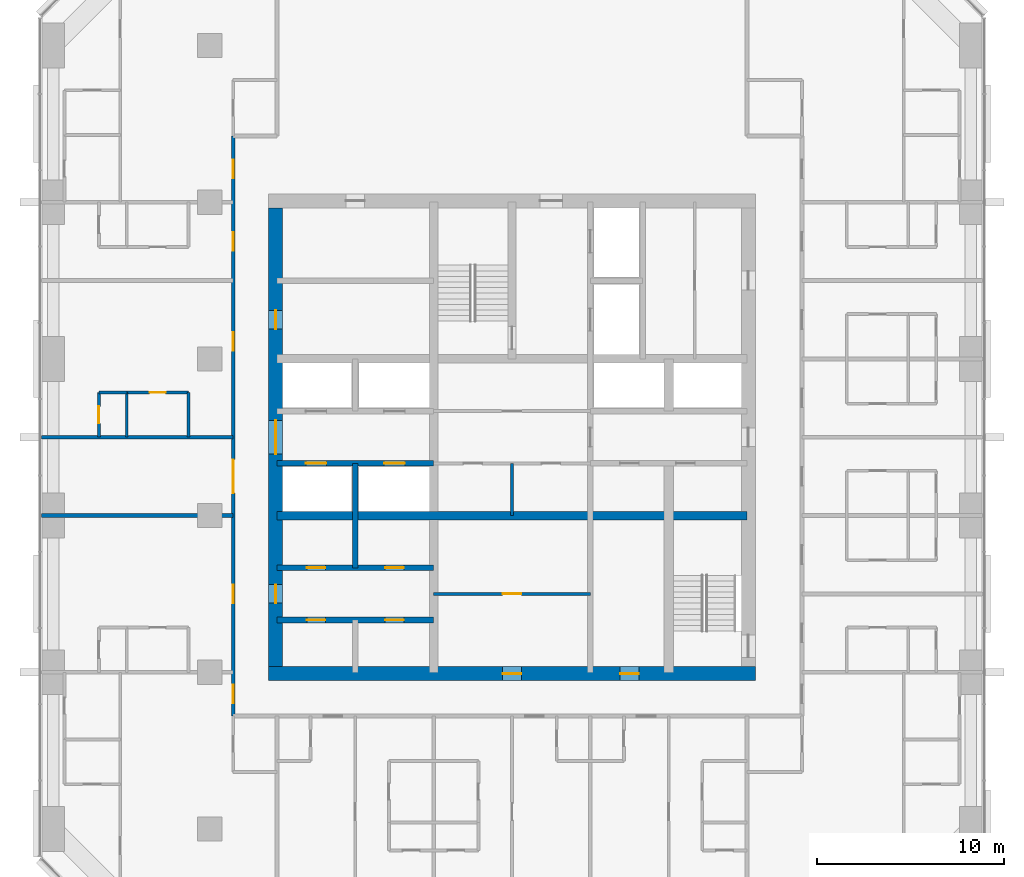
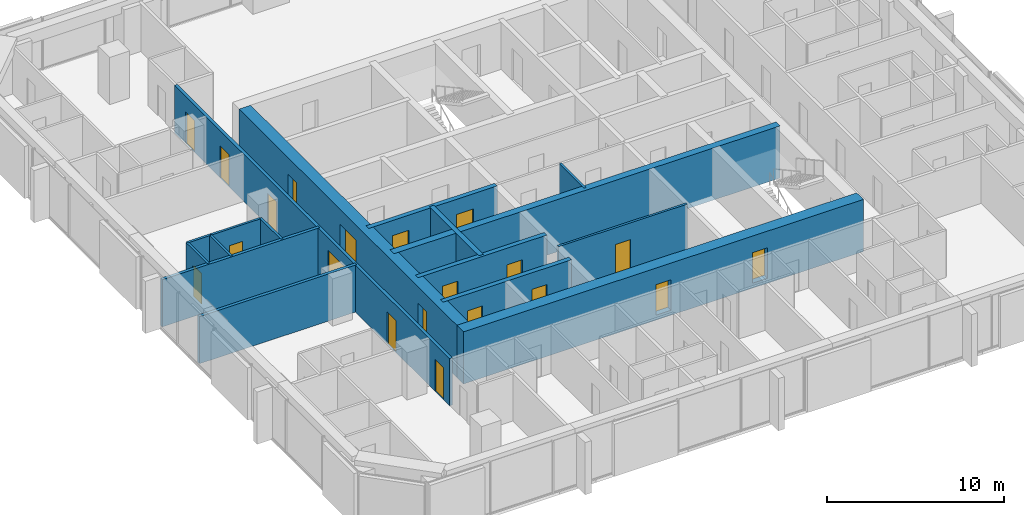
# One storey, part 9 of 14: 20 doors, 17 walls, 20 openings.
"""IFC4 building model written with IfcOpenShell, lengths in metres."""

from ifc_helpers import new_model, si_unit, direction, frame, frame_2d, origin, place, context, subcontext, project, spatial, rectangle, extrude, material, layer, layer_set, type_object, element, fill, save


model = new_model("IFC4")

# Units and contexts
model_context = context("Model", 3, precision=1e-05, world=origin(), true_north=direction((0.0, 1.0)))
body_context = subcontext(model_context, "Body", "Model", "MODEL_VIEW")
ifc_project = project(units=[si_unit("LENGTHUNIT", "METRE"), si_unit("AREAUNIT", "SQUARE_METRE"), si_unit("VOLUMEUNIT", "CUBIC_METRE"), si_unit("PLANEANGLEUNIT", "RADIAN"), si_unit("MASSUNIT", "GRAM", prefix="KILO")], contexts=[model_context])

# Site, building, storey
site_placement = place(None, origin())
site = spatial("IfcSite", under=ifc_project, at=site_placement, CompositionType="ELEMENT")
building_placement = place(site_placement, origin())
building = spatial("IfcBuilding", under=site, at=building_placement, Name="Dunama Terrace Hotel", CompositionType="ELEMENT")
storey_placement = place(building_placement, frame((0.0, 0.0, 177.0)))
storey = spatial("IfcBuildingStorey", under=building, at=storey_placement, Name="L45", CompositionType="ELEMENT", Elevation=177.0)

# Wall
ifc_material_1 = material(Name="Gypsum board partition", Category="masonry")
ifc_layer_1 = layer(ifc_material_1, 0.14990234375)
ifc_layer_set_1 = layer_set([ifc_layer_1], Name="Bathroom partition 150")
wall_type_1 = type_object("IfcWallType", Name="Bathroom partition 150", PredefinedType="PARTITIONING", material=ifc_layer_set_1)
wall_1_placement = place(storey_placement, frame((12.050048828125, 29.39990234375, 0.0), z_axis=(0.0, 0.0, 1.0), x_axis=(0.0, 1.0, 0.0)))
element("IfcWall", 1, at=wall_1_placement, inside=storey, type_object=wall_type_1, Name="Bathroom partition 150 L45", PredefinedType="PARTITIONING", context=body_context, shape_type="SweptSolid", body=[
    extrude(rectangle(XDim=2.400146484375, YDim=0.14990234375, at=frame_2d((1.2001953125, 0.0))), origin(), (0.0, 0.0, 1.0), 3.25),
])

# Wall, opening, door
wall_2_placement = place(storey_placement, frame((8.75, 31.800048828125, 0.0), z_axis=(0.0, 0.0, 1.0), x_axis=(1.0, 0.0, 0.0)))
wall_2 = element("IfcWall", 2, at=wall_2_placement, inside=storey, type_object=wall_type_1, Name="Bathroom partition 150 L45", PredefinedType="PARTITIONING", context=body_context, shape_type="SweptSolid", body=[
    extrude(rectangle(XDim=3.300048828125, YDim=0.14990234375, at=frame_2d((1.64990234375, 0.0))), origin(), (0.0, 0.0, 1.0), 3.25),
])
opening_1_placement = place(wall_2_placement, frame((1.22509765625, 0.0, 0.0)))
opening_1 = element("IfcOpeningElement", 3, at=opening_1_placement, cuts=wall_2, Name="Opening L45-047", PredefinedType="OPENING", context=body_context, shape_type="SweptSolid", body=[
    extrude(rectangle(XDim=0.85009765625, YDim=2.10009765625, at=frame_2d((0.425048828125, 1.050048828125))), frame((0.0, 0.0849609375, 0.0), z_axis=(0.0, -1.0, 0.0), x_axis=(1.0, 0.0, 0.0)), (0.0, 0.0, 1.0), 0.169921875),
])
ifc_material_2 = material(Name="Timber door with steel frame", Category="steel")
door_type_1 = type_object("IfcDoorType", Name="Bathroom door 850", OperationType="SINGLE_SWING_LEFT", PredefinedType="DOOR", material=ifc_material_2)
door_1_placement = place(opening_1_placement, frame((0.85009765625, 0.0, 0.0), z_axis=(0.0, 0.0, 1.0), x_axis=(-1.0, 0.0, 0.0)))
door_1 = element("IfcDoor", 4, at=door_1_placement, inside=storey, type_object=door_type_1, Name="Door to en-suite bathroom L45-047, type D2", OperationType="SINGLE_SWING_RIGHT", OverallHeight=2.10009765625, OverallWidth=0.85009765625, PredefinedType="DOOR", context=body_context, shape_type="SweptSolid", body=[
    extrude(rectangle(XDim=0.85009765625, YDim=2.10009765625, at=frame_2d((0.425048828125, 1.050048828125))), frame((0.0, 0.025146484375, 0.0), z_axis=(0.0, -1.0, 0.0), x_axis=(1.0, 0.0, 0.0)), (0.0, 0.0, 1.0), 0.050048828125),
])
fill(opening_1, door_1)

# Wall
ifc_material_3 = material(Name="Concrete C50/60", Category="concrete")
ifc_layer_2 = layer(ifc_material_3, 0.300048828125)
ifc_layer_set_2 = layer_set([ifc_layer_2], Name="Core inner wall 300")
wall_type_2 = type_object("IfcWallType", Name="Core inner wall 300", PredefinedType="SHEAR", material=ifc_layer_set_2)
wall_3_placement = place(storey_placement, frame((21.0, 22.39990234375, -0.35009765625), z_axis=(0.0, 0.0, 1.0), x_axis=(0.0, 1.0, 0.0)))
element("IfcWall", 5, at=wall_3_placement, inside=storey, type_object=wall_type_2, Name="Core inner wall 300 L45", PredefinedType="SHEAR", context=body_context, shape_type="SweptSolid", body=[
    extrude(rectangle(XDim=5.60009765625, YDim=0.300048828125, at=frame_2d((2.800048828125, 0.0))), origin(), (0.0, 0.0, 1.0), 3.60009765625),
])

# Wall, openings, doors
wall_4_placement = place(storey_placement, frame((16.800048828125, 19.60009765625, -0.35009765625), z_axis=(0.0, 0.0, 1.0), x_axis=(1.0, 0.0, 0.0)))
wall_4 = element("IfcWall", 6, at=wall_4_placement, inside=storey, type_object=wall_type_2, Name="Core inner wall 300 L45", PredefinedType="SHEAR", context=body_context, shape_type="SweptSolid", body=[
    extrude(rectangle(XDim=8.39990234375, YDim=0.300048828125, at=frame_2d((4.199951171875, 0.0))), origin(), (0.0, 0.0, 1.0), 3.60009765625),
])
opening_2_placement = place(wall_4_placement, frame((1.60009765625, 0.0, 0.35009765625)))
opening_2 = element("IfcOpeningElement", 7, at=opening_2_placement, cuts=wall_4, Name="Opening L45-073", PredefinedType="OPENING", context=body_context, shape_type="SweptSolid", body=[
    extrude(rectangle(XDim=1.0, YDim=2.10009765625, at=frame_2d((0.5, 1.050048828125))), frame((0.0, 0.159912109375, 0.0), z_axis=(0.0, -1.0, 0.0), x_axis=(1.0, 0.0, 0.0)), (0.0, 0.0, 1.0), 0.320068359375),
])
opening_3_placement = place(wall_4_placement, frame((5.800048828125, 0.0, 0.35009765625)))
opening_3 = element("IfcOpeningElement", 8, at=opening_3_placement, cuts=wall_4, Name="Opening L45-074", PredefinedType="OPENING", context=body_context, shape_type="SweptSolid", body=[
    extrude(rectangle(XDim=1.0, YDim=2.10009765625, at=frame_2d((0.5, 1.050048828125))), frame((0.0, 0.159912109375, 0.0), z_axis=(0.0, -1.0, 0.0), x_axis=(1.0, 0.0, 0.0)), (0.0, 0.0, 1.0), 0.320068359375),
])
ifc_material_4 = material(Name="Timber door with steel frame", Category="steel")
door_type_2 = type_object("IfcDoorType", Name="Service door 1000", OperationType="SINGLE_SWING_LEFT", PredefinedType="DOOR", material=ifc_material_4)
door_2_placement = place(opening_2_placement, frame((1.0, 0.0, 0.0), z_axis=(0.0, 0.0, 1.0), x_axis=(-1.0, 0.0, 0.0)))
door_2 = element("IfcDoor", 9, at=door_2_placement, inside=storey, type_object=door_type_2, Name="Door to service riser L45-073, type D7", OperationType="SINGLE_SWING_RIGHT", OverallHeight=2.10009765625, OverallWidth=1.0, PredefinedType="DOOR", context=body_context, shape_type="SweptSolid", body=[
    extrude(rectangle(XDim=1.0, YDim=2.10009765625, at=frame_2d((0.5, 1.050048828125))), frame((0.0, 0.025146484375, 0.0), z_axis=(0.0, -1.0, 0.0), x_axis=(1.0, 0.0, 0.0)), (0.0, 0.0, 1.0), 0.050048828125),
])
fill(opening_2, door_2)
door_3_placement = place(opening_3_placement, frame((1.0, 0.0, 0.0), z_axis=(0.0, 0.0, 1.0), x_axis=(-1.0, 0.0, 0.0)))
door_3 = element("IfcDoor", 10, at=door_3_placement, inside=storey, type_object=door_type_2, Name="Door to staff accessible wc L45-074, type D7", OperationType="SINGLE_SWING_LEFT", OverallHeight=2.10009765625, OverallWidth=1.0, PredefinedType="DOOR", context=body_context, shape_type="SweptSolid", body=[
    extrude(rectangle(XDim=1.0, YDim=2.10009765625, at=frame_2d((0.5, 1.050048828125))), frame((0.0, 0.025146484375, 0.0), z_axis=(0.0, -1.0, 0.0), x_axis=(1.0, 0.0, 0.0)), (0.0, 0.0, 1.0), 0.050048828125),
])
fill(opening_3, door_3)

wall_5_placement = place(storey_placement, frame((16.800048828125, 22.39990234375, -0.35009765625), z_axis=(0.0, 0.0, 1.0), x_axis=(1.0, 0.0, 0.0)))
wall_5 = element("IfcWall", 11, at=wall_5_placement, inside=storey, type_object=wall_type_2, Name="Core inner wall 300 L45", PredefinedType="SHEAR", context=body_context, shape_type="SweptSolid", body=[
    extrude(rectangle(XDim=8.39990234375, YDim=0.300048828125, at=frame_2d((4.199951171875, 0.0))), origin(), (0.0, 0.0, 1.0), 3.60009765625),
])
opening_4_placement = place(wall_5_placement, frame((1.60009765625, 0.0, 0.35009765625)))
opening_4 = element("IfcOpeningElement", 12, at=opening_4_placement, cuts=wall_5, Name="Opening L45-075", PredefinedType="OPENING", context=body_context, shape_type="SweptSolid", body=[
    extrude(rectangle(XDim=1.0, YDim=2.10009765625, at=frame_2d((0.5, 1.050048828125))), frame((0.0, 0.159912109375, 0.0), z_axis=(0.0, -1.0, 0.0), x_axis=(1.0, 0.0, 0.0)), (0.0, 0.0, 1.0), 0.320068359375),
])
opening_5_placement = place(wall_5_placement, frame((5.800048828125, 0.0, 0.35009765625)))
opening_5 = element("IfcOpeningElement", 13, at=opening_5_placement, cuts=wall_5, Name="Opening L45-076", PredefinedType="OPENING", context=body_context, shape_type="SweptSolid", body=[
    extrude(rectangle(XDim=1.0, YDim=2.10009765625, at=frame_2d((0.5, 1.050048828125))), frame((0.0, 0.159912109375, 0.0), z_axis=(0.0, -1.0, 0.0), x_axis=(1.0, 0.0, 0.0)), (0.0, 0.0, 1.0), 0.320068359375),
])
door_4_placement = place(opening_4_placement, origin())
door_4 = element("IfcDoor", 14, at=door_4_placement, inside=storey, type_object=door_type_2, Name="Door to room service pantry L45-075, type D7", OperationType="SINGLE_SWING_LEFT", OverallHeight=2.10009765625, OverallWidth=1.0, PredefinedType="DOOR", context=body_context, shape_type="SweptSolid", body=[
    extrude(rectangle(XDim=1.0, YDim=2.10009765625, at=frame_2d((0.5, 1.050048828125))), frame((0.0, 0.02490234375, 0.0), z_axis=(0.0, -1.0, 0.0), x_axis=(1.0, 0.0, 0.0)), (0.0, 0.0, 1.0), 0.050048828125),
])
fill(opening_4, door_4)
door_5_placement = place(opening_5_placement, origin())
door_5 = element("IfcDoor", 15, at=door_5_placement, inside=storey, type_object=door_type_2, Name="Door to linen store L45-076, type D7", OperationType="SINGLE_SWING_RIGHT", OverallHeight=2.10009765625, OverallWidth=1.0, PredefinedType="DOOR", context=body_context, shape_type="SweptSolid", body=[
    extrude(rectangle(XDim=1.0, YDim=2.10009765625, at=frame_2d((0.5, 1.050048828125))), frame((0.0, 0.02490234375, 0.0), z_axis=(0.0, -1.0, 0.0), x_axis=(1.0, 0.0, 0.0)), (0.0, 0.0, 1.0), 0.050048828125),
])
fill(opening_5, door_5)

wall_6_placement = place(storey_placement, frame((16.800048828125, 28.0, -0.35009765625), z_axis=(0.0, 0.0, 1.0), x_axis=(1.0, 0.0, 0.0)))
wall_6 = element("IfcWall", 16, at=wall_6_placement, inside=storey, type_object=wall_type_2, Name="Core inner wall 300 L45", PredefinedType="SHEAR", context=body_context, shape_type="SweptSolid", body=[
    extrude(rectangle(XDim=8.39990234375, YDim=0.300048828125, at=frame_2d((4.199951171875, 0.0))), origin(), (0.0, 0.0, 1.0), 3.60009765625),
])
opening_6_placement = place(wall_6_placement, frame((1.550048828125, 0.0, 0.35009765625)))
opening_6 = element("IfcOpeningElement", 17, at=opening_6_placement, cuts=wall_6, Name="Opening L45-003", PredefinedType="OPENING", context=body_context, shape_type="SweptSolid", body=[
    extrude(rectangle(XDim=1.10009765625, YDim=2.199951171875, at=frame_2d((0.550048828125, 1.10009765625))), frame((0.0, 0.159912109375, 0.0), z_axis=(0.0, -1.0, 0.0), x_axis=(1.0, 0.0, 0.0)), (0.0, 0.0, 1.0), 0.320068359375),
])
opening_7_placement = place(wall_6_placement, frame((5.75, 0.0, 0.35009765625)))
opening_7 = element("IfcOpeningElement", 18, at=opening_7_placement, cuts=wall_6, Name="Opening L45-004", PredefinedType="OPENING", context=body_context, shape_type="SweptSolid", body=[
    extrude(rectangle(XDim=1.10009765625, YDim=2.199951171875, at=frame_2d((0.550048828125, 1.10009765625))), frame((0.0, 0.159912109375, 0.0), z_axis=(0.0, -1.0, 0.0), x_axis=(1.0, 0.0, 0.0)), (0.0, 0.0, 1.0), 0.320068359375),
])
ifc_material_5 = material(Name="Stainless steel lift door", Category="steel")
door_type_3 = type_object("IfcDoorType", Name="Lift landing door 1100", OperationType="DOUBLE_DOOR_SLIDING", PredefinedType="DOOR", material=ifc_material_5)
door_6_placement = place(opening_6_placement, origin())
door_6 = element("IfcDoor", 19, at=door_6_placement, inside=storey, type_object=door_type_3, Name="Landing door PC1 L45-003, type LD1", OperationType="DOUBLE_DOOR_SLIDING", OverallHeight=2.199951171875, OverallWidth=1.10009765625, PredefinedType="DOOR", context=body_context, shape_type="SweptSolid", body=[
    extrude(rectangle(XDim=1.10009765625, YDim=2.199951171875, at=frame_2d((0.550048828125, 1.10009765625))), frame((0.0, 0.02490234375, 0.0), z_axis=(0.0, -1.0, 0.0), x_axis=(1.0, 0.0, 0.0)), (0.0, 0.0, 1.0), 0.050048828125),
])
fill(opening_6, door_6)
door_7_placement = place(opening_7_placement, origin())
door_7 = element("IfcDoor", 20, at=door_7_placement, inside=storey, type_object=door_type_3, Name="Landing door PC2 L45-004, type LD1", OperationType="DOUBLE_DOOR_SLIDING", OverallHeight=2.199951171875, OverallWidth=1.10009765625, PredefinedType="DOOR", context=body_context, shape_type="SweptSolid", body=[
    extrude(rectangle(XDim=1.10009765625, YDim=2.199951171875, at=frame_2d((0.550048828125, 1.10009765625))), frame((0.0, 0.02490234375, 0.0), z_axis=(0.0, -1.0, 0.0), x_axis=(1.0, 0.0, 0.0)), (0.0, 0.0, 1.0), 0.050048828125),
])
fill(opening_7, door_7)

# Wall
ifc_material_6 = material(Name="Concrete C50/60", Category="concrete")
ifc_layer_3 = layer(ifc_material_6, 0.449951171875)
ifc_layer_set_3 = layer_set([ifc_layer_3], Name="Core inner wall 450")
wall_type_3 = type_object("IfcWallType", Name="Core inner wall 450", PredefinedType="SHEAR", material=ifc_layer_set_3)
wall_7_placement = place(storey_placement, frame((16.800048828125, 25.199951171875, -0.35009765625), z_axis=(0.0, 0.0, 1.0), x_axis=(1.0, 0.0, 0.0)))
element("IfcWall", 21, at=wall_7_placement, inside=storey, type_object=wall_type_3, Name="Core inner wall 450 L45", PredefinedType="SHEAR", context=body_context, shape_type="SweptSolid", body=[
    extrude(rectangle(XDim=25.199951171875, YDim=0.449951171875, at=frame_2d((12.60009765625, 0.0))), origin(), (0.0, 0.0, 1.0), 3.60009765625),
])

# Wall, openings, doors
ifc_material_7 = material(Name="Concrete C60/75", Category="concrete")
ifc_layer_4 = layer(ifc_material_7, 0.75)
ifc_layer_set_4 = layer_set([ifc_layer_4], Name="Core wall 750")
wall_type_4 = type_object("IfcWallType", Name="Core wall 750", PredefinedType="SHEAR", material=ifc_layer_set_4)
wall_8_placement = place(storey_placement, frame((16.35009765625, 16.72509765625, -0.35009765625), z_axis=(0.0, 0.0, 1.0), x_axis=(1.0, 0.0, 0.0)))
wall_8 = element("IfcWall", 22, at=wall_8_placement, inside=storey, type_object=wall_type_4, Name="Core wall south L45", PredefinedType="SHEAR", context=body_context, shape_type="SweptSolid", body=[
    extrude(rectangle(XDim=26.099853515625, YDim=0.75, at=frame_2d((13.0498046875, 0.0))), origin(), (0.0, 0.0, 1.0), 3.60009765625),
])
opening_8_placement = place(wall_8_placement, frame((12.550048828125, 0.0, 0.35009765625)))
opening_8 = element("IfcOpeningElement", 23, at=opening_8_placement, cuts=wall_8, Name="Opening L45-090", PredefinedType="OPENING", context=body_context, shape_type="SweptSolid", body=[
    extrude(rectangle(XDim=1.0, YDim=2.10009765625, at=frame_2d((0.5, 1.050048828125))), frame((0.0, 0.385009765625, 0.0), z_axis=(0.0, -1.0, 0.0), x_axis=(1.0, 0.0, 0.0)), (0.0, 0.0, 1.0), 0.77001953125),
])
opening_9_placement = place(wall_8_placement, frame((18.85009765625, 0.0, 0.35009765625)))
opening_9 = element("IfcOpeningElement", 24, at=opening_9_placement, cuts=wall_8, Name="Opening L45-092", PredefinedType="OPENING", context=body_context, shape_type="SweptSolid", body=[
    extrude(rectangle(XDim=1.0, YDim=2.10009765625, at=frame_2d((0.5, 1.050048828125))), frame((0.0, 0.385009765625, 0.0), z_axis=(0.0, -1.0, 0.0), x_axis=(1.0, 0.0, 0.0)), (0.0, 0.0, 1.0), 0.77001953125),
])
door_8_placement = place(opening_8_placement, origin())
door_8 = element("IfcDoor", 25, at=door_8_placement, inside=storey, type_object=door_type_2, Name="Door to corridor air handling room L45-090, type D7", OperationType="SINGLE_SWING_LEFT", OverallHeight=2.10009765625, OverallWidth=1.0, PredefinedType="DOOR", context=body_context, shape_type="SweptSolid", body=[
    extrude(rectangle(XDim=1.0, YDim=2.10009765625, at=frame_2d((0.5, 1.050048828125))), frame((0.0, 0.02490234375, 0.0), z_axis=(0.0, -1.0, 0.0), x_axis=(1.0, 0.0, 0.0)), (0.0, 0.0, 1.0), 0.050048828125),
])
fill(opening_8, door_8)
door_9_placement = place(opening_9_placement, origin())
door_9 = element("IfcDoor", 26, at=door_9_placement, inside=storey, type_object=door_type_2, Name="Door to water riser room L45-092, type D7", OperationType="SINGLE_SWING_RIGHT", OverallHeight=2.10009765625, OverallWidth=1.0, PredefinedType="DOOR", context=body_context, shape_type="SweptSolid", body=[
    extrude(rectangle(XDim=1.0, YDim=2.10009765625, at=frame_2d((0.5, 1.050048828125))), frame((0.0, 0.02490234375, 0.0), z_axis=(0.0, -1.0, 0.0), x_axis=(1.0, 0.0, 0.0)), (0.0, 0.0, 1.0), 0.050048828125),
])
fill(opening_9, door_9)

wall_9_placement = place(storey_placement, frame((16.72509765625, 41.699951171875, -0.35009765625), z_axis=(0.0, 0.0, 1.0), x_axis=(0.0, -1.0, 0.0)))
wall_9 = element("IfcWall", 27, at=wall_9_placement, inside=storey, type_object=wall_type_4, Name="Core wall west L45", PredefinedType="SHEAR", context=body_context, shape_type="SweptSolid", body=[
    extrude(rectangle(XDim=24.599853515625, YDim=0.75, at=frame_2d((12.2998046875, 0.0))), origin(), (0.0, 0.0, 1.0), 3.60009765625),
])
opening_10_placement = place(wall_9_placement, frame((11.39990234375, 0.0, 0.35009765625)))
opening_10 = element("IfcOpeningElement", 28, at=opening_10_placement, cuts=wall_9, Name="Opening L45-072", PredefinedType="OPENING", context=body_context, shape_type="SweptSolid", body=[
    extrude(rectangle(XDim=1.800048828125, YDim=2.199951171875, at=frame_2d((0.89990234375, 1.10009765625))), frame((0.0, 0.385009765625, 0.0), z_axis=(0.0, -1.0, 0.0), x_axis=(1.0, 0.0, 0.0)), (0.0, 0.0, 1.0), 0.77001953125),
])
opening_11_placement = place(wall_9_placement, frame((20.199951171875, 0.0, 0.35009765625)))
opening_11 = element("IfcOpeningElement", 29, at=opening_11_placement, cuts=wall_9, Name="Opening L45-077", PredefinedType="OPENING", context=body_context, shape_type="SweptSolid", body=[
    extrude(rectangle(XDim=1.0, YDim=2.10009765625, at=frame_2d((0.5, 1.050048828125))), frame((0.0, 0.385009765625, 0.0), z_axis=(0.0, -1.0, 0.0), x_axis=(1.0, 0.0, 0.0)), (0.0, 0.0, 1.0), 0.77001953125),
])
opening_12_placement = place(wall_9_placement, frame((5.5, 0.0, 0.35009765625)))
opening_12 = element("IfcOpeningElement", 30, at=opening_12_placement, cuts=wall_9, Name="Opening L45-078", PredefinedType="OPENING", context=body_context, shape_type="SweptSolid", body=[
    extrude(rectangle(XDim=1.0, YDim=2.10009765625, at=frame_2d((0.5, 1.050048828125))), frame((0.0, 0.385009765625, 0.0), z_axis=(0.0, -1.0, 0.0), x_axis=(1.0, 0.0, 0.0)), (0.0, 0.0, 1.0), 0.77001953125),
])
ifc_material_8 = material(Name="Timber door with steel frame", Category="steel")
door_type_4 = type_object("IfcDoorType", Name="Lift lobby double door 1800", OperationType="DOUBLE_DOOR_DOUBLE_SWING", PredefinedType="DOOR", material=ifc_material_8)
door_10_placement = place(opening_10_placement, origin())
door_10 = element("IfcDoor", 31, at=door_10_placement, inside=storey, type_object=door_type_4, Name="Door to lift lobby L45-072, type D3", OperationType="DOUBLE_DOOR_DOUBLE_SWING", OverallHeight=2.199951171875, OverallWidth=1.800048828125, PredefinedType="DOOR", context=body_context, shape_type="SweptSolid", body=[
    extrude(rectangle(XDim=1.800048828125, YDim=2.199951171875, at=frame_2d((0.89990234375, 1.10009765625))), frame((0.0, 0.02490234375, 0.0), z_axis=(0.0, -1.0, 0.0), x_axis=(1.0, 0.0, 0.0)), (0.0, 0.0, 1.0), 0.050048828125),
])
fill(opening_10, door_10)
door_11_placement = place(opening_11_placement, origin())
door_11 = element("IfcDoor", 32, at=door_11_placement, inside=storey, type_object=door_type_2, Name="Door to back-of-house lobby L45-077, type D7", OperationType="SINGLE_SWING_LEFT", OverallHeight=2.10009765625, OverallWidth=1.0, PredefinedType="DOOR", context=body_context, shape_type="SweptSolid", body=[
    extrude(rectangle(XDim=1.0, YDim=2.10009765625, at=frame_2d((0.5, 1.050048828125))), frame((0.0, 0.02490234375, 0.0), z_axis=(0.0, -1.0, 0.0), x_axis=(1.0, 0.0, 0.0)), (0.0, 0.0, 1.0), 0.050048828125),
])
fill(opening_11, door_11)
door_12_placement = place(opening_12_placement, origin())
door_12 = element("IfcDoor", 33, at=door_12_placement, inside=storey, type_object=door_type_2, Name="Door to electrical room L45-078, type D7", OperationType="SINGLE_SWING_RIGHT", OverallHeight=2.10009765625, OverallWidth=1.0, PredefinedType="DOOR", context=body_context, shape_type="SweptSolid", body=[
    extrude(rectangle(XDim=1.0, YDim=2.10009765625, at=frame_2d((0.5, 1.050048828125))), frame((0.0, 0.02490234375, 0.0), z_axis=(0.0, -1.0, 0.0), x_axis=(1.0, 0.0, 0.0)), (0.0, 0.0, 1.0), 0.050048828125),
])
fill(opening_12, door_12)

ifc_material_9 = material(Name="Concrete blockwork", Category="masonry")
ifc_layer_5 = layer(ifc_material_9, 0.199951171875)
ifc_layer_set_5 = layer_set([ifc_layer_5], Name="Corridor partition 200")
wall_type_5 = type_object("IfcWallType", Name="Corridor partition 200", PredefinedType="PARTITIONING", material=ifc_layer_set_5)
wall_10_placement = place(storey_placement, frame((14.449951171875, 14.449951171875, 0.0), z_axis=(0.0, 0.0, 1.0), x_axis=(0.0, 1.0, 0.0)))
wall_10 = element("IfcWall", 34, at=wall_10_placement, inside=storey, type_object=wall_type_5, Name="Corridor partition 200 L45", PredefinedType="PARTITIONING", context=body_context, shape_type="SweptSolid", body=[
    extrude(rectangle(XDim=31.10009765625, YDim=0.199951171875, at=frame_2d((15.550048828125, 0.0))), origin(), (0.0, 0.0, 1.0), 3.25),
])
opening_13_placement = place(wall_10_placement, frame((6.050048828125, 0.0, 0.0)))
opening_13 = element("IfcOpeningElement", 35, at=opening_13_placement, cuts=wall_10, Name="Opening L45-042", PredefinedType="OPENING", context=body_context, shape_type="SweptSolid", body=[
    extrude(rectangle(XDim=1.0, YDim=2.199951171875, at=frame_2d((0.5, 1.10009765625))), frame((0.0, 0.10986328125, 0.0), z_axis=(0.0, -1.0, 0.0), x_axis=(1.0, 0.0, 0.0)), (0.0, 0.0, 1.0), 0.219970703125),
])
opening_14_placement = place(wall_10_placement, frame((11.949951171875, 0.0, 0.0)))
opening_14 = element("IfcOpeningElement", 36, at=opening_14_placement, cuts=wall_10, Name="Opening L45-045", PredefinedType="OPENING", context=body_context, shape_type="SweptSolid", body=[
    extrude(rectangle(XDim=1.800048828125, YDim=2.39990234375, at=frame_2d((0.89990234375, 1.199951171875))), frame((0.0, 0.10986328125, 0.0), z_axis=(0.0, -1.0, 0.0), x_axis=(1.0, 0.0, 0.0)), (0.0, 0.0, 1.0), 0.219970703125),
])
opening_15_placement = place(wall_10_placement, frame((19.574951171875, 0.0, 0.0)))
opening_15 = element("IfcOpeningElement", 37, at=opening_15_placement, cuts=wall_10, Name="Opening L45-046", PredefinedType="OPENING", context=body_context, shape_type="SweptSolid", body=[
    extrude(rectangle(XDim=1.0, YDim=2.199951171875, at=frame_2d((0.5, 1.10009765625))), frame((0.0, 0.10986328125, 0.0), z_axis=(0.0, -1.0, 0.0), x_axis=(1.0, 0.0, 0.0)), (0.0, 0.0, 1.0), 0.219970703125),
])
opening_16_placement = place(wall_10_placement, frame((24.949951171875, 0.0, 0.0)))
opening_16 = element("IfcOpeningElement", 38, at=opening_16_placement, cuts=wall_10, Name="Opening L45-049", PredefinedType="OPENING", context=body_context, shape_type="SweptSolid", body=[
    extrude(rectangle(XDim=1.0, YDim=2.199951171875, at=frame_2d((0.5, 1.10009765625))), frame((0.0, 0.10986328125, 0.0), z_axis=(0.0, -1.0, 0.0), x_axis=(1.0, 0.0, 0.0)), (0.0, 0.0, 1.0), 0.219970703125),
])
opening_17_placement = place(wall_10_placement, frame((0.675048828125, 0.0, 0.0)))
opening_17 = element("IfcOpeningElement", 39, at=opening_17_placement, cuts=wall_10, Name="Opening L45-052", PredefinedType="OPENING", context=body_context, shape_type="SweptSolid", body=[
    extrude(rectangle(XDim=1.0, YDim=2.199951171875, at=frame_2d((0.5, 1.10009765625))), frame((0.0, 0.10986328125, 0.0), z_axis=(0.0, -1.0, 0.0), x_axis=(1.0, 0.0, 0.0)), (0.0, 0.0, 1.0), 0.219970703125),
])
opening_18_placement = place(wall_10_placement, frame((28.824951171875, 0.0, 0.0)))
opening_18 = element("IfcOpeningElement", 40, at=opening_18_placement, cuts=wall_10, Name="Opening L45-067", PredefinedType="OPENING", context=body_context, shape_type="SweptSolid", body=[
    extrude(rectangle(XDim=1.0, YDim=2.199951171875, at=frame_2d((0.5, 1.10009765625))), frame((0.0, 0.10986328125, 0.0), z_axis=(0.0, -1.0, 0.0), x_axis=(1.0, 0.0, 0.0)), (0.0, 0.0, 1.0), 0.219970703125),
])
ifc_material_10 = material(Name="Aluminium-framed glazed door", Category="aluminium")
door_type_5 = type_object("IfcDoorType", Name="Glazed double door 1800", OperationType="DOUBLE_DOOR_DOUBLE_SWING", PredefinedType="DOOR", material=ifc_material_10)
door_13_placement = place(opening_14_placement, origin())
door_13 = element("IfcDoor", 41, at=door_13_placement, inside=storey, type_object=door_type_5, Name="Door to business centre L45-045, type D8", OperationType="DOUBLE_DOOR_DOUBLE_SWING", OverallHeight=2.39990234375, OverallWidth=1.800048828125, PredefinedType="DOOR", context=body_context, shape_type="SweptSolid", body=[
    extrude(rectangle(XDim=1.800048828125, YDim=2.39990234375, at=frame_2d((0.89990234375, 1.199951171875))), frame((0.0, 0.02490234375, 0.0), z_axis=(0.0, -1.0, 0.0), x_axis=(1.0, 0.0, 0.0)), (0.0, 0.0, 1.0), 0.050048828125),
])
fill(opening_14, door_13)
ifc_material_11 = material(Name="Timber door with steel frame", Category="steel")
door_type_6 = type_object("IfcDoorType", Name="Guest room door 1000", OperationType="SINGLE_SWING_LEFT", PredefinedType="DOOR", material=ifc_material_11)
door_14_placement = place(opening_13_placement, origin())
door_14 = element("IfcDoor", 42, at=door_14_placement, inside=storey, type_object=door_type_6, Name="Door to junior suite L45-042, type D1", OperationType="SINGLE_SWING_LEFT", OverallHeight=2.199951171875, OverallWidth=1.0, PredefinedType="DOOR", context=body_context, shape_type="SweptSolid", body=[
    extrude(rectangle(XDim=1.0, YDim=2.199951171875, at=frame_2d((0.5, 1.10009765625))), frame((0.0, 0.02490234375, 0.0), z_axis=(0.0, -1.0, 0.0), x_axis=(1.0, 0.0, 0.0)), (0.0, 0.0, 1.0), 0.050048828125),
])
fill(opening_13, door_14)
door_15_placement = place(opening_15_placement, origin())
door_15 = element("IfcDoor", 43, at=door_15_placement, inside=storey, type_object=door_type_6, Name="Door to junior suite L45-046, type D1", OperationType="SINGLE_SWING_RIGHT", OverallHeight=2.199951171875, OverallWidth=1.0, PredefinedType="DOOR", context=body_context, shape_type="SweptSolid", body=[
    extrude(rectangle(XDim=1.0, YDim=2.199951171875, at=frame_2d((0.5, 1.10009765625))), frame((0.0, 0.02490234375, 0.0), z_axis=(0.0, -1.0, 0.0), x_axis=(1.0, 0.0, 0.0)), (0.0, 0.0, 1.0), 0.050048828125),
])
fill(opening_15, door_15)
door_16_placement = place(opening_16_placement, origin())
door_16 = element("IfcDoor", 44, at=door_16_placement, inside=storey, type_object=door_type_6, Name="Door to club room L45-049, type D1", OperationType="SINGLE_SWING_RIGHT", OverallHeight=2.199951171875, OverallWidth=1.0, PredefinedType="DOOR", context=body_context, shape_type="SweptSolid", body=[
    extrude(rectangle(XDim=1.0, YDim=2.199951171875, at=frame_2d((0.5, 1.10009765625))), frame((0.0, 0.02490234375, 0.0), z_axis=(0.0, -1.0, 0.0), x_axis=(1.0, 0.0, 0.0)), (0.0, 0.0, 1.0), 0.050048828125),
])
fill(opening_16, door_16)
door_17_placement = place(opening_17_placement, origin())
door_17 = element("IfcDoor", 45, at=door_17_placement, inside=storey, type_object=door_type_6, Name="Door to corner suite living room L45-052, type D1", OperationType="SINGLE_SWING_RIGHT", OverallHeight=2.199951171875, OverallWidth=1.0, PredefinedType="DOOR", context=body_context, shape_type="SweptSolid", body=[
    extrude(rectangle(XDim=1.0, YDim=2.199951171875, at=frame_2d((0.5, 1.10009765625))), frame((0.0, 0.02490234375, 0.0), z_axis=(0.0, -1.0, 0.0), x_axis=(1.0, 0.0, 0.0)), (0.0, 0.0, 1.0), 0.050048828125),
])
fill(opening_17, door_17)
door_18_placement = place(opening_18_placement, origin())
door_18 = element("IfcDoor", 46, at=door_18_placement, inside=storey, type_object=door_type_6, Name="Door to corner suite living room L45-067, type D1", OperationType="SINGLE_SWING_LEFT", OverallHeight=2.199951171875, OverallWidth=1.0, PredefinedType="DOOR", context=body_context, shape_type="SweptSolid", body=[
    extrude(rectangle(XDim=1.0, YDim=2.199951171875, at=frame_2d((0.5, 1.10009765625))), frame((0.0, 0.02490234375, 0.0), z_axis=(0.0, -1.0, 0.0), x_axis=(1.0, 0.0, 0.0)), (0.0, 0.0, 1.0), 0.050048828125),
])
fill(opening_18, door_18)

# Walls
ifc_material_12 = material(Name="Concrete blockwork", Category="masonry")
ifc_layer_6 = layer(ifc_material_12, 0.199951171875)
ifc_layer_set_6 = layer_set([ifc_layer_6], Name="Party wall 200")
wall_type_6 = type_object("IfcWallType", Name="Party wall 200", PredefinedType="PARTITIONING", material=ifc_layer_set_6)
for number, where, z_axis, x_axis, name in (
    (47, (4.181884765625, 25.199951171875, 0.0), (0.0, 0.0, 1.0), (1.0, 0.0, 0.0), "Party wall 200 L45"),
    (48, (4.181884765625, 29.39990234375, 0.0), (0.0, 0.0, 1.0), (1.0, 0.0, 0.0), "Party wall 200 L45"),
):
    element("IfcWall", number, at=place(storey_placement, frame(where, z_axis=z_axis, x_axis=x_axis)), inside=storey, type_object=wall_type_6, Name=name, PredefinedType="PARTITIONING", context=body_context, shape_type="SweptSolid", body=[
        extrude(rectangle(XDim=10.26806640625, YDim=0.199951171875, at=frame_2d((5.134033203125, 0.0))), origin(), (0.0, 0.0, 1.0), 3.25),
    ])

# Wall, opening, door
ifc_material_13 = material(Name="Gypsum board partition", Category="masonry")
ifc_layer_7 = layer(ifc_material_13, 0.14990234375)
ifc_layer_set_7 = layer_set([ifc_layer_7], Name="Room partition 150")
wall_type_7 = type_object("IfcWallType", Name="Room partition 150", PredefinedType="PARTITIONING", material=ifc_layer_set_7)
wall_11_placement = place(storey_placement, frame((7.25, 29.39990234375, 0.0), z_axis=(0.0, 0.0, 1.0), x_axis=(0.0, 1.0, 0.0)))
wall_11 = element("IfcWall", 49, at=wall_11_placement, inside=storey, type_object=wall_type_7, Name="Room partition 150 L45", PredefinedType="PARTITIONING", context=body_context, shape_type="SweptSolid", body=[
    extrude(rectangle(XDim=2.400146484375, YDim=0.14990234375, at=frame_2d((1.2001953125, 0.0))), origin(), (0.0, 0.0, 1.0), 3.25),
])
opening_19_placement = place(wall_11_placement, frame((0.75, 0.0, 0.0)))
opening_19 = element("IfcOpeningElement", 50, at=opening_19_placement, cuts=wall_11, Name="Opening L45-048", PredefinedType="OPENING", context=body_context, shape_type="SweptSolid", body=[
    extrude(rectangle(XDim=0.89990234375, YDim=2.10009765625, at=frame_2d((0.449951171875, 1.050048828125))), frame((0.0, 0.0849609375, 0.0), z_axis=(0.0, -1.0, 0.0), x_axis=(1.0, 0.0, 0.0)), (0.0, 0.0, 1.0), 0.169921875),
])
ifc_material_14 = material(Name="Timber door with steel frame", Category="steel")
door_type_7 = type_object("IfcDoorType", Name="Suite internal door 900", OperationType="SINGLE_SWING_LEFT", PredefinedType="DOOR", material=ifc_material_14)
door_19_placement = place(opening_19_placement, frame((0.89990234375, 0.0, 0.0), z_axis=(0.0, 0.0, 1.0), x_axis=(-1.0, 0.0, 0.0)))
door_19 = element("IfcDoor", 51, at=door_19_placement, inside=storey, type_object=door_type_7, Name="Door to walk-in wardrobe L45-048, type D16", OperationType="SINGLE_SWING_RIGHT", OverallHeight=2.10009765625, OverallWidth=0.89990234375, PredefinedType="DOOR", context=body_context, shape_type="SweptSolid", body=[
    extrude(rectangle(XDim=0.89990234375, YDim=2.10009765625, at=frame_2d((0.449951171875, 1.050048828125))), frame((0.0, 0.025146484375, 0.0), z_axis=(0.0, -1.0, 0.0), x_axis=(1.0, 0.0, 0.0)), (0.0, 0.0, 1.0), 0.050048828125),
])
fill(opening_19, door_19)

# Walls
wall_12_placement = place(storey_placement, frame((8.75, 29.39990234375, 0.0), z_axis=(0.0, 0.0, 1.0), x_axis=(0.0, 1.0, 0.0)))
element("IfcWall", 52, at=wall_12_placement, inside=storey, type_object=wall_type_7, Name="Room partition 150 L45", PredefinedType="PARTITIONING", context=body_context, shape_type="SweptSolid", body=[
    extrude(rectangle(XDim=2.400146484375, YDim=0.14990234375, at=frame_2d((1.2001953125, 0.0))), origin(), (0.0, 0.0, 1.0), 3.25),
])
wall_13_placement = place(storey_placement, frame((29.39990234375, 25.199951171875, 0.0), z_axis=(0.0, 0.0, 1.0), x_axis=(0.0, 1.0, 0.0)))
element("IfcWall", 53, at=wall_13_placement, inside=storey, type_object=wall_type_7, Name="Room partition 150 L45", PredefinedType="PARTITIONING", context=body_context, shape_type="SweptSolid", body=[
    extrude(rectangle(XDim=2.800048828125, YDim=0.14990234375, at=frame_2d((1.39990234375, 0.0))), origin(), (0.0, 0.0, 1.0), 3.25),
])

# Wall, opening, door
wall_14_placement = place(storey_placement, frame((25.199951171875, 21.0, 0.0), z_axis=(0.0, 0.0, 1.0), x_axis=(1.0, 0.0, 0.0)))
wall_14 = element("IfcWall", 54, at=wall_14_placement, inside=storey, type_object=wall_type_7, Name="Room partition 150 L45", PredefinedType="PARTITIONING", context=body_context, shape_type="SweptSolid", body=[
    extrude(rectangle(XDim=8.400146484375, YDim=0.14990234375, at=frame_2d((4.2001953125, 0.0))), origin(), (0.0, 0.0, 1.0), 3.25),
])
opening_20_placement = place(wall_14_placement, frame((3.699951171875, 0.0, 0.0)))
opening_20 = element("IfcOpeningElement", 55, at=opening_20_placement, cuts=wall_14, Name="Opening L45-091", PredefinedType="OPENING", context=body_context, shape_type="SweptSolid", body=[
    extrude(rectangle(XDim=1.0, YDim=2.10009765625, at=frame_2d((0.5, 1.050048828125))), frame((0.0, 0.0849609375, 0.0), z_axis=(0.0, -1.0, 0.0), x_axis=(1.0, 0.0, 0.0)), (0.0, 0.0, 1.0), 0.169921875),
])
door_20_placement = place(opening_20_placement, origin())
door_20 = element("IfcDoor", 56, at=door_20_placement, inside=storey, type_object=door_type_2, Name="Door to stair pressurisation fan room L45-091, type D7", OperationType="SINGLE_SWING_LEFT", OverallHeight=2.10009765625, OverallWidth=1.0, PredefinedType="DOOR", context=body_context, shape_type="SweptSolid", body=[
    extrude(rectangle(XDim=1.0, YDim=2.10009765625, at=frame_2d((0.5, 1.050048828125))), frame((0.0, 0.02490234375, 0.0), z_axis=(0.0, -1.0, 0.0), x_axis=(1.0, 0.0, 0.0)), (0.0, 0.0, 1.0), 0.050048828125),
])
fill(opening_20, door_20)

# Wall
wall_15_placement = place(storey_placement, frame((7.25, 31.800048828125, 0.0), z_axis=(0.0, 0.0, 1.0), x_axis=(1.0, 0.0, 0.0)))
element("IfcWall", 57, at=wall_15_placement, inside=storey, type_object=wall_type_7, Name="Room partition 150 L45", PredefinedType="PARTITIONING", context=body_context, shape_type="SweptSolid", body=[
    extrude(rectangle(XDim=1.5, YDim=0.14990234375, at=frame_2d((0.75, 0.0))), origin(), (0.0, 0.0, 1.0), 3.25),
])

save(model, "model.ifc")
